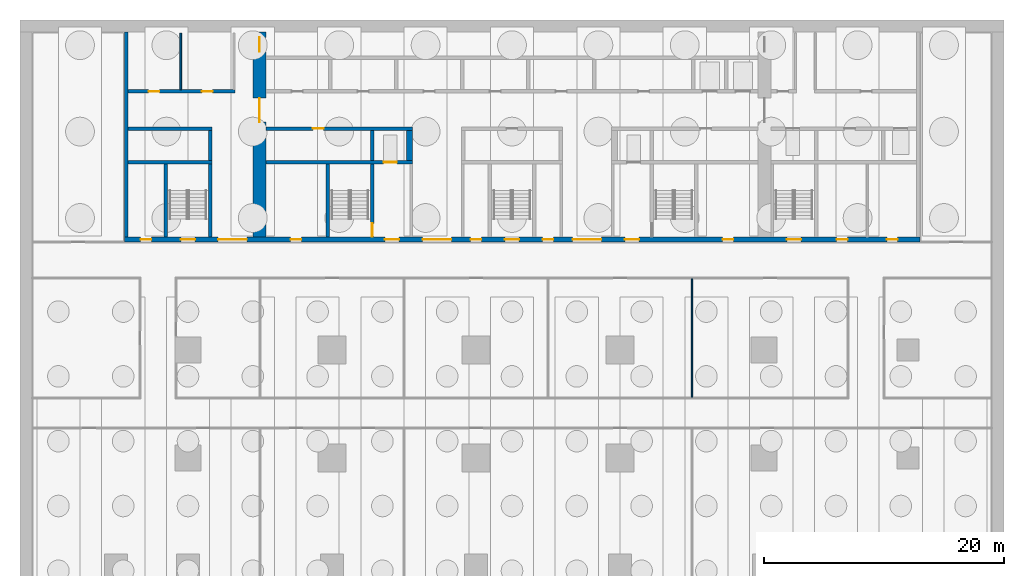
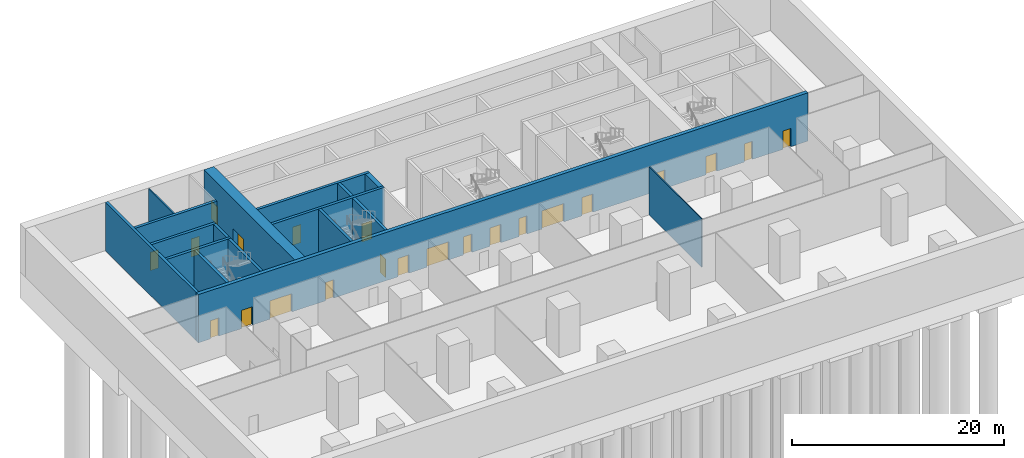
# One storey, part 4 of 11: 22 doors, 17 walls, 22 openings.
"""IFC4 building model written with IfcOpenShell, lengths in metres."""

import ifcopenshell
import ifcopenshell.guid

model = None  # the IFC model being written
_history = None  # IfcOwnerHistory: only IFC2X3 demands one
_inside = {}  # id of a spatial element -> (the spatial element, [elements in it])
_under = {}  # id of a project, library or spatial element -> (it, [spatial elements below it])
_declared = {}  # id of a project -> (the project, [libraries it declares])
_typed = {}  # id of a type object -> (the type object, [elements of that type])
_made_of = {}  # id of a material, layer set ... -> (it, [elements and type objects made of it])


def new_model(schema):
    """Start an empty IFC model of exactly this schema.

    Asked for "IFC4X3", IfcOpenShell would pick the latest addendum, in which some entities
    have other attributes; the version numbers below select the first issue.
    IFC2X3 requires an IfcOwnerHistory on every rooted entity: one is made here for all.
    """
    global model, _history
    if schema == "IFC4X3":
        model = ifcopenshell.file(schema_version=(4, 3, 0, 0))
    else:
        model = ifcopenshell.file(schema=schema)
    _inside.clear()
    _under.clear()
    _declared.clear()
    _typed.clear()
    _made_of.clear()
    _history = None
    if model.schema == "IFC2X3":
        org = make("IfcOrganization", Name="unknown")
        user = make(
            "IfcPersonAndOrganization",
            ThePerson=make("IfcPerson", FamilyName="unknown"),
            TheOrganization=org,
        )
        app = make(
            "IfcApplication",
            ApplicationDeveloper=org,
            Version="unknown",
            ApplicationFullName="unknown",
            ApplicationIdentifier="unknown",
        )
        _history = make(
            "IfcOwnerHistory",
            OwningUser=user,
            OwningApplication=app,
            ChangeAction="ADDED",
            CreationDate=0,
        )
    return model


def make(cls, **values):
    """One entity of the class cls with the attributes given. An attribute that is None is left unset."""
    return model.create_entity(
        cls, **{name: value for name, value in values.items() if value is not None}
    )


def rooted(cls, **values):
    """An entity with a GlobalId (a new one), such as an element, a storey or a relation."""
    return make(cls, GlobalId=ifcopenshell.guid.new(), OwnerHistory=_history, **values)


def si_unit(unit_type, name, prefix=None):
    """IfcSIUnit, for example si_unit("LENGTHUNIT", "METRE", prefix="MILLI")."""
    return make("IfcSIUnit", UnitType=unit_type, Prefix=prefix, Name=name)


def assignment(units):
    """IfcUnitAssignment: the units of a project."""
    return None if units is None else make("IfcUnitAssignment", Units=units)


def point(xyz):
    """IfcCartesianPoint."""
    return None if xyz is None else make("IfcCartesianPoint", Coordinates=xyz)


def direction(xyz):
    """IfcDirection."""
    return None if xyz is None else make("IfcDirection", DirectionRatios=xyz)


def frame(location, z_axis=None, x_axis=None):
    """IfcAxis2Placement3D, a coordinate frame: its origin and axes. An axis left out is left unset."""
    return make(
        "IfcAxis2Placement3D",
        Location=point(location),
        Axis=direction(z_axis),
        RefDirection=direction(x_axis),
    )


def frame_2d(location, x_axis=None):
    """IfcAxis2Placement2D, a coordinate frame in the plane: its origin and x axis."""
    return make(
        "IfcAxis2Placement2D", Location=point(location), RefDirection=direction(x_axis)
    )


def origin():
    """The frame at (0, 0, 0) with its axes left unset."""
    return frame((0.0, 0.0, 0.0))


def place(relative_to, where):
    """IfcLocalPlacement: puts the frame where relative to a parent placement (None: the world)."""
    return make(
        "IfcLocalPlacement", PlacementRelTo=relative_to, RelativePlacement=where
    )


def context(
    kind, dimensions, precision=None, world=None, true_north=None, identifier=None
):
    """IfcGeometricRepresentationContext, for example the 3D "Model" context."""
    return make(
        "IfcGeometricRepresentationContext",
        ContextIdentifier=identifier,
        ContextType=kind,
        CoordinateSpaceDimension=dimensions,
        Precision=precision,
        WorldCoordinateSystem=world,
        TrueNorth=true_north,
    )


def subcontext(parent, identifier, kind, view, scale=None):
    """IfcGeometricRepresentationSubContext, for example "Body" below "Model"."""
    return make(
        "IfcGeometricRepresentationSubContext",
        ContextIdentifier=identifier,
        ContextType=kind,
        ParentContext=parent,
        TargetScale=scale,
        TargetView=view,
    )


def project(units=None, contexts=None):
    """IfcProject with its units and contexts."""
    return rooted(
        "IfcProject",
        Name="project",
        RepresentationContexts=contexts,
        UnitsInContext=assignment(units),
    )


def spatial(cls, under=None, at=None, **own):
    """A site, building, storey or space (cls), placed at a placement, below another one or the project."""
    s = rooted(cls, ObjectPlacement=at, **own)
    if under is not None:
        _under.setdefault(under.id(), (under, []))[1].append(s)
    return s


def profile(cls, at=None, kind="AREA", **sizes):
    """A parametric profile (cls). Its sizes go by their IFC names, for example OverallWidth=200.0."""
    return make(cls, ProfileType=kind, Position=at, **sizes)


def rectangle(**sizes):
    """IfcRectangleProfileDef."""
    return profile("IfcRectangleProfileDef", **sizes)


def extrude(swept, where, along, depth):
    """IfcExtrudedAreaSolid: the profile swept, set in the frame where, extruded along a direction by depth."""
    return make(
        "IfcExtrudedAreaSolid",
        SweptArea=swept,
        Position=where,
        ExtrudedDirection=direction(along),
        Depth=depth,
    )


def shape(context_of_items, identifier, shape_type, items):
    """IfcShapeRepresentation: the items that make up one representation, for example the "Body"."""
    return make(
        "IfcShapeRepresentation",
        ContextOfItems=context_of_items,
        RepresentationIdentifier=identifier,
        RepresentationType=shape_type,
        Items=items,
    )


def material(Name=None, Category=None):
    """IfcMaterial."""
    return make("IfcMaterial", Name=Name, Category=Category)


def layer(
    of_material, thickness, ventilated=None, Name=None, Category=None, Priority=None
):
    """IfcMaterialLayer: one layer of a wall or slab, of a material (None: an air gap)."""
    return make(
        "IfcMaterialLayer",
        Material=of_material,
        LayerThickness=thickness,
        IsVentilated=ventilated,
        Name=Name,
        Category=Category,
        Priority=Priority,
    )


def layer_set(layers, Name=None):
    """IfcMaterialLayerSet."""
    return make("IfcMaterialLayerSet", MaterialLayers=layers, LayerSetName=Name)


def made_of(thing, what):
    """Note that an element or type object is made of a material, layer set ...; save() writes the relation."""
    if what is not None:
        _made_of.setdefault(what.id(), (what, []))[1].append(thing)
    return thing


def type_object(cls, material=None, **own):
    """A type object (cls), such as IfcWallType, which elements share."""
    return made_of(rooted(cls, **own), material)


def element(
    cls,
    number,
    at=None,
    inside=None,
    cuts=None,
    type_object=None,
    material=None,
    context=None,
    identifier="Body",
    shape_type=None,
    held_by="IfcProductDefinitionShape",
    body=None,
    shapes=None,
    **own,
):
    """One element of the class cls, such as IfcWall. Its Tag is "e" and its number.

    at: its placement. inside: the storey or other place that contains it. cuts: it is an
    opening in that element (IfcRelVoidsElement). A single representation is given by context,
    identifier, shape_type and body (its items); several are given by shapes. held_by: the class
    of the entity that holds the representations. save() writes the other relations.
    """
    e = rooted(cls, Tag="e%d" % number, ObjectPlacement=at, **own)
    if body is not None:
        shapes = [shape(context, identifier, shape_type, body)]
    if shapes is not None:
        e.Representation = make(held_by, Representations=shapes)
    if inside is not None:
        _inside.setdefault(inside.id(), (inside, []))[1].append(e)
    if cuts is not None:
        rooted(
            "IfcRelVoidsElement", RelatingBuildingElement=cuts, RelatedOpeningElement=e
        )
    if type_object is not None:
        _typed.setdefault(type_object.id(), (type_object, []))[1].append(e)
    return made_of(e, material)


def fill(opening, filler):
    """IfcRelFillsElement: the door or window that sits in an opening."""
    return rooted(
        "IfcRelFillsElement",
        RelatingOpeningElement=opening,
        RelatedBuildingElement=filler,
    )


def aggregate(whole, parts):
    """IfcRelAggregates: a whole, such as a stair, and the parts it consists of."""
    return rooted("IfcRelAggregates", RelatingObject=whole, RelatedObjects=parts)


def save(model, path):
    """Write the relations noted so far, then the file.

    IfcRelAggregates (storeys below a building ...), IfcRelContainedInSpatialStructure (elements
    in a storey), IfcRelDefinesByType, IfcRelAssociatesMaterial and IfcRelDeclares: one each for
    every whole, place, type object, material and project.
    """
    for whole, parts in _under.values():
        aggregate(whole, parts)
    for where, things in _inside.values():
        rooted(
            "IfcRelContainedInSpatialStructure",
            RelatedElements=things,
            RelatingStructure=where,
        )
    for kind, things in _typed.values():
        rooted("IfcRelDefinesByType", RelatedObjects=things, RelatingType=kind)
    for what, things in _made_of.values():
        rooted("IfcRelAssociatesMaterial", RelatedObjects=things, RelatingMaterial=what)
    for by, libraries in _declared.values():
        rooted("IfcRelDeclares", RelatingContext=by, RelatedDefinitions=libraries)
    model.write(path)


model = new_model("IFC4")

# Units and contexts
model_context = context("Model", 3, precision=1e-05, world=origin(), true_north=direction((0.0, 1.0)))
body_context = subcontext(model_context, "Body", "Model", "MODEL_VIEW")
ifc_project = project(units=[si_unit("LENGTHUNIT", "METRE"), si_unit("AREAUNIT", "SQUARE_METRE"), si_unit("VOLUMEUNIT", "CUBIC_METRE"), si_unit("PLANEANGLEUNIT", "RADIAN"), si_unit("MASSUNIT", "GRAM", prefix="KILO")], contexts=[model_context])

# Site, building, storey
site_placement = place(None, origin())
site = spatial("IfcSite", under=ifc_project, at=site_placement, CompositionType="ELEMENT")
building_placement = place(site_placement, origin())
building = spatial("IfcBuilding", under=site, at=building_placement, Name="Calvaro Tower", CompositionType="ELEMENT")
storey_placement = place(building_placement, frame((0.0, 0.0, -12.0)))
storey = spatial("IfcBuildingStorey", under=building, at=storey_placement, Name="B2", CompositionType="ELEMENT", Elevation=-12.0)

# Wall
ifc_material_1 = material(Name="Blockwork partition", Category="masonry")
ifc_layer_1 = layer(ifc_material_1, 0.14990234375)
ifc_layer_set_1 = layer_set([ifc_layer_1], Name="Blockwork partition")
wall_type_1 = type_object("IfcWallType", Name="Core partition 150 REI 120", PredefinedType="PARTITIONING", material=ifc_layer_set_1)
wall_1_placement = place(storey_placement, frame((11.39990234375, 40.699951171875, 0.0), z_axis=(0.0, 0.0, 1.0), x_axis=(0.0, 1.0, 0.0)))
element("IfcWall", 1, at=wall_1_placement, inside=storey, type_object=wall_type_1, Name="Core partition", PredefinedType="PARTITIONING", context=body_context, shape_type="SweptSolid", body=[
    extrude(rectangle(XDim=4.699951171875, YDim=0.14990234375, at=frame_2d((2.35009765625, 0.0))), origin(), (0.0, 0.0, 1.0), 5.550048828125),
])

# Wall, openings, doors
ifc_material_2 = material(Name="Blockwork partition", Category="masonry")
ifc_layer_2 = layer(ifc_material_2, 0.300048828125)
ifc_layer_set_2 = layer_set([ifc_layer_2], Name="Blockwork partition")
wall_type_2 = type_object("IfcWallType", Name="Core partition 300 REI 120", PredefinedType="PARTITIONING", material=ifc_layer_set_2)
wall_2_placement = place(storey_placement, frame((7.0, 40.550048828125, 0.0), z_axis=(0.0, 0.0, 1.0), x_axis=(1.0, 0.0, 0.0)))
wall_2 = element("IfcWall", 2, at=wall_2_placement, inside=storey, type_object=wall_type_2, Name="Core partition", PredefinedType="PARTITIONING", context=body_context, shape_type="SweptSolid", body=[
    extrude(rectangle(XDim=8.89990234375, YDim=0.300048828125, at=frame_2d((4.449951171875, 0.0))), origin(), (0.0, 0.0, 1.0), 5.550048828125),
])
opening_1_placement = place(wall_2_placement, frame((1.71240234375, 0.0, 0.0)))
opening_1 = element("IfcOpeningElement", 3, at=opening_1_placement, cuts=wall_2, Name="Opening RD9E", PredefinedType="OPENING", context=body_context, shape_type="SweptSolid", body=[
    extrude(rectangle(XDim=0.89990234375, YDim=2.10009765625, at=frame_2d((0.449951171875, 1.050048828125))), frame((0.0, 0.159912109375, 0.0), z_axis=(0.0, -1.0, 0.0), x_axis=(1.0, 0.0, 0.0)), (0.0, 0.0, 1.0), 0.320068359375),
])
opening_2_placement = place(wall_2_placement, frame((6.16259765625, 0.0, 0.0)))
opening_2 = element("IfcOpeningElement", 4, at=opening_2_placement, cuts=wall_2, Name="Opening RD9E", PredefinedType="OPENING", context=body_context, shape_type="SweptSolid", body=[
    extrude(rectangle(XDim=0.89990234375, YDim=2.10009765625, at=frame_2d((0.449951171875, 1.050048828125))), frame((0.0, 0.159912109375, 0.0), z_axis=(0.0, -1.0, 0.0), x_axis=(1.0, 0.0, 0.0)), (0.0, 0.0, 1.0), 0.320068359375),
])
ifc_material_3 = material(Name="Steel door set", Category="steel")
door_type_1 = type_object("IfcDoorType", Name="Room door 900 FD60", OperationType="SINGLE_SWING_LEFT", PredefinedType="DOOR", material=ifc_material_3)
door_1_placement = place(opening_1_placement, origin())
door_1 = element("IfcDoor", 5, at=door_1_placement, inside=storey, type_object=door_type_1, Name="Room door", OperationType="SINGLE_SWING_LEFT", OverallHeight=2.10009765625, OverallWidth=0.89990234375, PredefinedType="DOOR", context=body_context, shape_type="SweptSolid", body=[
    extrude(rectangle(XDim=0.89990234375, YDim=2.10009765625, at=frame_2d((0.449951171875, 1.050048828125))), frame((0.0, 0.02490234375, 0.0), z_axis=(0.0, -1.0, 0.0), x_axis=(1.0, 0.0, 0.0)), (0.0, 0.0, 1.0), 0.050048828125),
])
fill(opening_1, door_1)
door_2_placement = place(opening_2_placement, origin())
door_2 = element("IfcDoor", 6, at=door_2_placement, inside=storey, type_object=door_type_1, Name="Room door", OperationType="SINGLE_SWING_RIGHT", OverallHeight=2.10009765625, OverallWidth=0.89990234375, PredefinedType="DOOR", context=body_context, shape_type="SweptSolid", body=[
    extrude(rectangle(XDim=0.89990234375, YDim=2.10009765625, at=frame_2d((0.449951171875, 1.050048828125))), frame((0.0, 0.02490234375, 0.0), z_axis=(0.0, -1.0, 0.0), x_axis=(1.0, 0.0, 0.0)), (0.0, 0.0, 1.0), 0.050048828125),
])
fill(opening_2, door_2)

ifc_material_4 = material(Name="Concrete C80/95", Category="concrete")
ifc_layer_3 = layer(ifc_material_4, 1.10009765625)
ifc_layer_set_3 = layer_set([ifc_layer_3], Name="Concrete C80/95")
wall_type_3 = type_object("IfcWallType", Name="Core wall C80/95 1100", PredefinedType="SHEAR", material=ifc_layer_set_3)
wall_3_placement = place(storey_placement, frame((17.949951171875, 28.39990234375, 0.0), z_axis=(0.0, 0.0, 1.0), x_axis=(0.0, 1.0, 0.0)))
wall_3 = element("IfcWall", 7, at=wall_3_placement, inside=storey, type_object=wall_type_3, Name="Core wall, cross shear wall", PredefinedType="SHEAR", context=body_context, shape_type="SweptSolid", body=[
    extrude(rectangle(XDim=17.10009765625, YDim=1.10009765625, at=frame_2d((8.550048828125, 0.0))), origin(), (0.0, 0.0, 1.0), 5.550048828125),
])
opening_3_placement = place(wall_3_placement, frame((9.60009765625, 0.0, 0.0)))
opening_3 = element("IfcOpeningElement", 8, at=opening_3_placement, cuts=wall_3, Name="Opening DD20D", PredefinedType="OPENING", context=body_context, shape_type="SweptSolid", body=[
    extrude(rectangle(XDim=2.0, YDim=2.10009765625, at=frame_2d((1.0, 1.050048828125))), frame((0.0, 0.56005859375, 0.0), z_axis=(0.0, -1.0, 0.0), x_axis=(1.0, 0.0, 0.0)), (0.0, 0.0, 1.0), 1.1201171875),
])
opening_4_placement = place(wall_3_placement, frame((15.449951171875, 0.0, 0.0)))
opening_4 = element("IfcOpeningElement", 9, at=opening_4_placement, cuts=wall_3, Name="Opening FD12C", PredefinedType="OPENING", context=body_context, shape_type="SweptSolid", body=[
    extrude(rectangle(XDim=1.199951171875, YDim=2.10009765625, at=frame_2d((0.60009765625, 1.050048828125))), frame((0.0, 0.56005859375, 0.0), z_axis=(0.0, -1.0, 0.0), x_axis=(1.0, 0.0, 0.0)), (0.0, 0.0, 1.0), 1.1201171875),
])
ifc_material_5 = material(Name="Steel door set", Category="steel")
door_type_2 = type_object("IfcDoorType", Name="Fire door 1200 FD30", OperationType="SINGLE_SWING_LEFT", PredefinedType="DOOR", material=ifc_material_5)
door_3_placement = place(opening_4_placement, origin())
door_3 = element("IfcDoor", 10, at=door_3_placement, inside=storey, type_object=door_type_2, Name="Fire door", OperationType="SINGLE_SWING_RIGHT", OverallHeight=2.10009765625, OverallWidth=1.199951171875, PredefinedType="DOOR", context=body_context, shape_type="SweptSolid", body=[
    extrude(rectangle(XDim=1.199951171875, YDim=2.10009765625, at=frame_2d((0.60009765625, 1.050048828125))), frame((0.0, 0.02490234375, 0.0), z_axis=(0.0, -1.0, 0.0), x_axis=(1.0, 0.0, 0.0)), (0.0, 0.0, 1.0), 0.050048828125),
])
fill(opening_4, door_3)
ifc_material_6 = material(Name="Steel door set", Category="steel")
door_type_3 = type_object("IfcDoorType", Name="Lobby double door 2000 FD30S", OperationType="DOUBLE_DOOR_SINGLE_SWING", PredefinedType="DOOR", material=ifc_material_6)
door_4_placement = place(opening_3_placement, origin())
door_4 = element("IfcDoor", 11, at=door_4_placement, inside=storey, type_object=door_type_3, Name="Lobby double door", OperationType="DOUBLE_DOOR_SINGLE_SWING", OverallHeight=2.10009765625, OverallWidth=2.0, PredefinedType="DOOR", context=body_context, shape_type="SweptSolid", body=[
    extrude(rectangle(XDim=2.0, YDim=2.10009765625, at=frame_2d((1.0, 1.050048828125))), frame((0.0, 0.02490234375, 0.0), z_axis=(0.0, -1.0, 0.0), x_axis=(1.0, 0.0, 0.0)), (0.0, 0.0, 1.0), 0.050048828125),
])
fill(opening_3, door_4)

# Walls
ifc_material_7 = material(Name="Concrete C80/95", Category="concrete")
ifc_layer_4 = layer(ifc_material_7, 0.300048828125)
ifc_layer_set_4 = layer_set([ifc_layer_4], Name="Concrete C80/95")
wall_type_4 = type_object("IfcWallType", Name="Core wall C80/95 300", PredefinedType="SHEAR", material=ifc_layer_set_4)
wall_4_placement = place(storey_placement, frame((6.85009765625, 28.39990234375, 0.0), z_axis=(0.0, 0.0, 1.0), x_axis=(0.0, 1.0, 0.0)))
element("IfcWall", 12, at=wall_4_placement, inside=storey, type_object=wall_type_4, Name="Core wall, boundary", PredefinedType="SHEAR", context=body_context, shape_type="SweptSolid", body=[
    extrude(rectangle(XDim=17.10009765625, YDim=0.300048828125, at=frame_2d((8.550048828125, 0.0))), origin(), (0.0, 0.0, 1.0), 5.550048828125),
])
for number, where, z_axis, x_axis, name in (
    (13, (10.14990234375, 28.39990234375, 0.0), (0.0, 0.0, 1.0), (0.0, 1.0, 0.0), "Core wall, stair enclosure"),
    (14, (13.85009765625, 28.39990234375, 0.0), (0.0, 0.0, 1.0), (0.0, 1.0, 0.0), "Core wall, stair enclosure"),
    (15, (23.64990234375, 28.39990234375, 0.0), (0.0, 0.0, 1.0), (0.0, 1.0, 0.0), "Core wall, stair enclosure"),
):
    element("IfcWall", number, at=place(storey_placement, frame(where, z_axis=z_axis, x_axis=x_axis)), inside=storey, type_object=wall_type_4, Name=name, PredefinedType="SHEAR", context=body_context, shape_type="SweptSolid", body=[
        extrude(rectangle(XDim=6.10009765625, YDim=0.300048828125, at=frame_2d((3.050048828125, 0.0))), origin(), (0.0, 0.0, 1.0), 5.550048828125),
    ])

# Wall, opening, door
wall_5_placement = place(storey_placement, frame((27.35009765625, 28.39990234375, 0.0), z_axis=(0.0, 0.0, 1.0), x_axis=(0.0, 1.0, 0.0)))
wall_5 = element("IfcWall", 16, at=wall_5_placement, inside=storey, type_object=wall_type_4, Name="Core wall, stair enclosure", PredefinedType="SHEAR", context=body_context, shape_type="SweptSolid", body=[
    extrude(rectangle(XDim=6.10009765625, YDim=0.300048828125, at=frame_2d((3.050048828125, 0.0))), origin(), (0.0, 0.0, 1.0), 5.550048828125),
])
opening_5_placement = place(wall_5_placement, frame((0.050048828125, 0.0, 0.0)))
opening_5 = element("IfcOpeningElement", 17, at=opening_5_placement, cuts=wall_5, Name="Opening FD11D", PredefinedType="OPENING", context=body_context, shape_type="SweptSolid", body=[
    extrude(rectangle(XDim=1.10009765625, YDim=2.10009765625, at=frame_2d((0.550048828125, 1.050048828125))), frame((0.0, 0.159912109375, 0.0), z_axis=(0.0, -1.0, 0.0), x_axis=(1.0, 0.0, 0.0)), (0.0, 0.0, 1.0), 0.320068359375),
])
ifc_material_8 = material(Name="Steel door set", Category="steel")
door_type_4 = type_object("IfcDoorType", Name="Fire door 1100 FD30S", OperationType="SINGLE_SWING_LEFT", PredefinedType="DOOR", material=ifc_material_8)
door_5_placement = place(opening_5_placement, origin())
door_5 = element("IfcDoor", 18, at=door_5_placement, inside=storey, type_object=door_type_4, Name="Fire door", OperationType="SINGLE_SWING_LEFT", OverallHeight=2.10009765625, OverallWidth=1.10009765625, PredefinedType="DOOR", context=body_context, shape_type="SweptSolid", body=[
    extrude(rectangle(XDim=1.10009765625, YDim=2.10009765625, at=frame_2d((0.550048828125, 1.050048828125))), frame((0.0, 0.02490234375, 0.0), z_axis=(0.0, -1.0, 0.0), x_axis=(1.0, 0.0, 0.0)), (0.0, 0.0, 1.0), 0.050048828125),
])
fill(opening_5, door_5)

# Wall
wall_6_placement = place(storey_placement, frame((7.0, 34.64990234375, 0.0), z_axis=(0.0, 0.0, 1.0), x_axis=(1.0, 0.0, 0.0)))
element("IfcWall", 19, at=wall_6_placement, inside=storey, type_object=wall_type_4, Name="Core wall, lift shaft", PredefinedType="SHEAR", context=body_context, shape_type="SweptSolid", body=[
    extrude(rectangle(XDim=7.0, YDim=0.300048828125, at=frame_2d((3.5, 0.0))), origin(), (0.0, 0.0, 1.0), 5.550048828125),
])

# Wall, opening, door
wall_7_placement = place(storey_placement, frame((18.5, 34.64990234375, 0.0), z_axis=(0.0, 0.0, 1.0), x_axis=(1.0, 0.0, 0.0)))
wall_7 = element("IfcWall", 20, at=wall_7_placement, inside=storey, type_object=wall_type_4, Name="Core wall, lift shaft", PredefinedType="SHEAR", context=body_context, shape_type="SweptSolid", body=[
    extrude(rectangle(XDim=12.199951171875, YDim=0.300048828125, at=frame_2d((6.10009765625, 0.0))), origin(), (0.0, 0.0, 1.0), 5.550048828125),
])
opening_6_placement = place(wall_7_placement, frame((9.800048828125, 0.0, 0.0)))
opening_6 = element("IfcOpeningElement", 21, at=opening_6_placement, cuts=wall_7, Name="Opening FF1", PredefinedType="OPENING", context=body_context, shape_type="SweptSolid", body=[
    extrude(rectangle(XDim=1.10009765625, YDim=2.10009765625, at=frame_2d((0.550048828125, 1.050048828125))), frame((0.0, 0.159912109375, 0.0), z_axis=(0.0, -1.0, 0.0), x_axis=(1.0, 0.0, 0.0)), (0.0, 0.0, 1.0), 0.320068359375),
])
ifc_material_9 = material(Name="Stainless steel", Category="steel")
door_type_5 = type_object("IfcDoorType", Name="Landing door 1100 E 60", OperationType="SLIDING_TO_LEFT", PredefinedType="DOOR", material=ifc_material_9)
door_6_placement = place(opening_6_placement, origin())
door_6 = element("IfcDoor", 22, at=door_6_placement, inside=storey, type_object=door_type_5, Name="Landing door FF1", OperationType="SLIDING_TO_LEFT", OverallHeight=2.10009765625, OverallWidth=1.10009765625, PredefinedType="DOOR", context=body_context, shape_type="SweptSolid", body=[
    extrude(rectangle(XDim=1.10009765625, YDim=2.10009765625, at=frame_2d((0.550048828125, 1.050048828125))), frame((0.0, 0.02490234375, 0.0), z_axis=(0.0, -1.0, 0.0), x_axis=(1.0, 0.0, 0.0)), (0.0, 0.0, 1.0), 0.050048828125),
])
fill(opening_6, door_6)

# Wall
wall_8_placement = place(storey_placement, frame((7.0, 37.449951171875, 0.0), z_axis=(0.0, 0.0, 1.0), x_axis=(1.0, 0.0, 0.0)))
element("IfcWall", 23, at=wall_8_placement, inside=storey, type_object=wall_type_4, Name="Core wall, lift shaft", PredefinedType="SHEAR", context=body_context, shape_type="SweptSolid", body=[
    extrude(rectangle(XDim=7.0, YDim=0.300048828125, at=frame_2d((3.5, 0.0))), origin(), (0.0, 0.0, 1.0), 5.550048828125),
])

# Wall, opening, door
wall_9_placement = place(storey_placement, frame((30.699951171875, 37.449951171875, 0.0), z_axis=(0.0, 0.0, 1.0), x_axis=(-1.0, 0.0, 0.0)))
wall_9 = element("IfcWall", 24, at=wall_9_placement, inside=storey, type_object=wall_type_4, Name="Core wall, bay", PredefinedType="SHEAR", context=body_context, shape_type="SweptSolid", body=[
    extrude(rectangle(XDim=12.199951171875, YDim=0.300048828125, at=frame_2d((6.10009765625, 0.0))), origin(), (0.0, 0.0, 1.0), 5.550048828125),
])
opening_7_placement = place(wall_9_placement, frame((7.39990234375, 0.0, 0.0)))
opening_7 = element("IfcOpeningElement", 25, at=opening_7_placement, cuts=wall_9, Name="Opening RD9E", PredefinedType="OPENING", context=body_context, shape_type="SweptSolid", body=[
    extrude(rectangle(XDim=0.89990234375, YDim=2.10009765625, at=frame_2d((0.449951171875, 1.050048828125))), frame((0.0, 0.159912109375, 0.0), z_axis=(0.0, -1.0, 0.0), x_axis=(1.0, 0.0, 0.0)), (0.0, 0.0, 1.0), 0.320068359375),
])
door_7_placement = place(opening_7_placement, origin())
door_7 = element("IfcDoor", 26, at=door_7_placement, inside=storey, type_object=door_type_1, Name="Room door", OperationType="SINGLE_SWING_LEFT", OverallHeight=2.10009765625, OverallWidth=0.89990234375, PredefinedType="DOOR", context=body_context, shape_type="SweptSolid", body=[
    extrude(rectangle(XDim=0.89990234375, YDim=2.10009765625, at=frame_2d((0.449951171875, 1.050048828125))), frame((0.0, 0.02490234375, 0.0), z_axis=(0.0, -1.0, 0.0), x_axis=(1.0, 0.0, 0.0)), (0.0, 0.0, 1.0), 0.050048828125),
])
fill(opening_7, door_7)

# Walls
for number, where, z_axis, x_axis, name in (
    (27, (27.35009765625, 34.800048828125, 0.0), (0.0, 0.0, 1.0), (0.0, 1.0, 0.0), "Core wall, lift shaft"),
    (28, (13.85009765625, 34.800048828125, 0.0), (0.0, 0.0, 1.0), (0.0, 1.0, 0.0), "Core wall, lift shaft"),
):
    element("IfcWall", number, at=place(storey_placement, frame(where, z_axis=z_axis, x_axis=x_axis)), inside=storey, type_object=wall_type_4, Name=name, PredefinedType="SHEAR", context=body_context, shape_type="SweptSolid", body=[
        extrude(rectangle(XDim=2.5, YDim=0.300048828125, at=frame_2d((1.25, 0.0))), origin(), (0.0, 0.0, 1.0), 5.550048828125),
    ])

# Wall, openings, doors
ifc_material_10 = material(Name="Concrete C80/95", Category="concrete")
ifc_layer_5 = layer(ifc_material_10, 0.39990234375)
ifc_layer_set_5 = layer_set([ifc_layer_5], Name="Concrete C80/95")
wall_type_5 = type_object("IfcWallType", Name="Core wall C80/95 400", PredefinedType="SHEAR", material=ifc_layer_set_5)
wall_10_placement = place(storey_placement, frame((6.699951171875, 28.199951171875, 0.0), z_axis=(0.0, 0.0, 1.0), x_axis=(1.0, 0.0, 0.0)))
wall_10 = element("IfcWall", 29, at=wall_10_placement, inside=storey, type_object=wall_type_5, Name="Core wall, front", PredefinedType="SHEAR", context=body_context, shape_type="SweptSolid", body=[
    extrude(rectangle(XDim=66.300048828125, YDim=0.39990234375, at=frame_2d((33.14990234375, 0.0))), origin(), (0.0, 0.0, 1.0), 5.550048828125),
])
opening_8_placement = place(wall_10_placement, frame((13.85009765625, 0.0, 0.0)))
opening_8 = element("IfcOpeningElement", 30, at=opening_8_placement, cuts=wall_10, Name="Opening RD9E", PredefinedType="OPENING", context=body_context, shape_type="SweptSolid", body=[
    extrude(rectangle(XDim=0.89990234375, YDim=2.10009765625, at=frame_2d((0.449951171875, 1.050048828125))), frame((0.0, 0.2099609375, 0.0), z_axis=(0.0, -1.0, 0.0), x_axis=(1.0, 0.0, 0.0)), (0.0, 0.0, 1.0), 0.419921875),
])
opening_9_placement = place(wall_10_placement, frame((49.85009765625, 0.0, 0.0)))
opening_9 = element("IfcOpeningElement", 31, at=opening_9_placement, cuts=wall_10, Name="Opening RD9E", PredefinedType="OPENING", context=body_context, shape_type="SweptSolid", body=[
    extrude(rectangle(XDim=0.89990234375, YDim=2.10009765625, at=frame_2d((0.449951171875, 1.050048828125))), frame((0.0, 0.2099609375, 0.0), z_axis=(0.0, -1.0, 0.0), x_axis=(1.0, 0.0, 0.0)), (0.0, 0.0, 1.0), 0.419921875),
])
opening_10_placement = place(wall_10_placement, frame((1.35009765625, 0.0, 0.0)))
opening_10 = element("IfcOpeningElement", 32, at=opening_10_placement, cuts=wall_10, Name="Opening RD9C", PredefinedType="OPENING", context=body_context, shape_type="SweptSolid", body=[
    extrude(rectangle(XDim=0.89990234375, YDim=2.10009765625, at=frame_2d((0.449951171875, 1.050048828125))), frame((0.0, 0.2099609375, 0.0), z_axis=(0.0, -1.0, 0.0), x_axis=(1.0, 0.0, 0.0)), (0.0, 0.0, 1.0), 0.419921875),
])
opening_11_placement = place(wall_10_placement, frame((59.362548828125, 0.0, 0.0)))
opening_11 = element("IfcOpeningElement", 33, at=opening_11_placement, cuts=wall_10, Name="Opening RD9E", PredefinedType="OPENING", context=body_context, shape_type="SweptSolid", body=[
    extrude(rectangle(XDim=0.89990234375, YDim=2.10009765625, at=frame_2d((0.449951171875, 1.050048828125))), frame((0.0, 0.2099609375, 0.0), z_axis=(0.0, -1.0, 0.0), x_axis=(1.0, 0.0, 0.0)), (0.0, 0.0, 1.0), 0.419921875),
])
opening_12_placement = place(wall_10_placement, frame((63.53759765625, 0.0, 0.0)))
opening_12 = element("IfcOpeningElement", 34, at=opening_12_placement, cuts=wall_10, Name="Opening RD9C", PredefinedType="OPENING", context=body_context, shape_type="SweptSolid", body=[
    extrude(rectangle(XDim=0.89990234375, YDim=2.10009765625, at=frame_2d((0.449951171875, 1.050048828125))), frame((0.0, 0.2099609375, 0.0), z_axis=(0.0, -1.0, 0.0), x_axis=(1.0, 0.0, 0.0)), (0.0, 0.0, 1.0), 0.419921875),
])
opening_13_placement = place(wall_10_placement, frame((4.699951171875, 0.0, 0.0)))
opening_13 = element("IfcOpeningElement", 35, at=opening_13_placement, cuts=wall_10, Name="Opening SD12D", PredefinedType="OPENING", context=body_context, shape_type="SweptSolid", body=[
    extrude(rectangle(XDim=1.199951171875, YDim=2.10009765625, at=frame_2d((0.60009765625, 1.050048828125))), frame((0.0, 0.2099609375, 0.0), z_axis=(0.0, -1.0, 0.0), x_axis=(1.0, 0.0, 0.0)), (0.0, 0.0, 1.0), 0.419921875),
])
opening_14_placement = place(wall_10_placement, frame((31.699951171875, 0.0, 0.0)))
opening_14 = element("IfcOpeningElement", 36, at=opening_14_placement, cuts=wall_10, Name="Opening SD12D", PredefinedType="OPENING", context=body_context, shape_type="SweptSolid", body=[
    extrude(rectangle(XDim=1.199951171875, YDim=2.10009765625, at=frame_2d((0.60009765625, 1.050048828125))), frame((0.0, 0.2099609375, 0.0), z_axis=(0.0, -1.0, 0.0), x_axis=(1.0, 0.0, 0.0)), (0.0, 0.0, 1.0), 0.419921875),
])
opening_15_placement = place(wall_10_placement, frame((55.199951171875, 0.0, 0.0)))
opening_15 = element("IfcOpeningElement", 37, at=opening_15_placement, cuts=wall_10, Name="Opening SD12D", PredefinedType="OPENING", context=body_context, shape_type="SweptSolid", body=[
    extrude(rectangle(XDim=1.199951171875, YDim=2.10009765625, at=frame_2d((0.60009765625, 1.050048828125))), frame((0.0, 0.2099609375, 0.0), z_axis=(0.0, -1.0, 0.0), x_axis=(1.0, 0.0, 0.0)), (0.0, 0.0, 1.0), 0.419921875),
])
opening_16_placement = place(wall_10_placement, frame((21.699951171875, 0.0, 0.0)))
opening_16 = element("IfcOpeningElement", 38, at=opening_16_placement, cuts=wall_10, Name="Opening FD12F", PredefinedType="OPENING", context=body_context, shape_type="SweptSolid", body=[
    extrude(rectangle(XDim=1.199951171875, YDim=2.10009765625, at=frame_2d((0.60009765625, 1.050048828125))), frame((0.0, 0.2099609375, 0.0), z_axis=(0.0, -1.0, 0.0), x_axis=(1.0, 0.0, 0.0)), (0.0, 0.0, 1.0), 0.419921875),
])
opening_17_placement = place(wall_10_placement, frame((41.699951171875, 0.0, 0.0)))
opening_17 = element("IfcOpeningElement", 39, at=opening_17_placement, cuts=wall_10, Name="Opening FD12F", PredefinedType="OPENING", context=body_context, shape_type="SweptSolid", body=[
    extrude(rectangle(XDim=1.199951171875, YDim=2.10009765625, at=frame_2d((0.60009765625, 1.050048828125))), frame((0.0, 0.2099609375, 0.0), z_axis=(0.0, -1.0, 0.0), x_axis=(1.0, 0.0, 0.0)), (0.0, 0.0, 1.0), 0.419921875),
])
opening_18_placement = place(wall_10_placement, frame((24.85009765625, 0.0, 0.0)))
opening_18 = element("IfcOpeningElement", 40, at=opening_18_placement, cuts=wall_10, Name="Opening DD24D", PredefinedType="OPENING", context=body_context, shape_type="SweptSolid", body=[
    extrude(rectangle(XDim=2.39990234375, YDim=2.10009765625, at=frame_2d((1.199951171875, 1.050048828125))), frame((0.0, 0.2099609375, 0.0), z_axis=(0.0, -1.0, 0.0), x_axis=(1.0, 0.0, 0.0)), (0.0, 0.0, 1.0), 0.419921875),
])
opening_19_placement = place(wall_10_placement, frame((37.35009765625, 0.0, 0.0)))
opening_19 = element("IfcOpeningElement", 41, at=opening_19_placement, cuts=wall_10, Name="Opening DD24D", PredefinedType="OPENING", context=body_context, shape_type="SweptSolid", body=[
    extrude(rectangle(XDim=2.39990234375, YDim=2.10009765625, at=frame_2d((1.199951171875, 1.050048828125))), frame((0.0, 0.2099609375, 0.0), z_axis=(0.0, -1.0, 0.0), x_axis=(1.0, 0.0, 0.0)), (0.0, 0.0, 1.0), 0.419921875),
])
opening_20_placement = place(wall_10_placement, frame((7.800048828125, 0.0, 0.0)))
opening_20 = element("IfcOpeningElement", 42, at=opening_20_placement, cuts=wall_10, Name="Opening DD24D", PredefinedType="OPENING", context=body_context, shape_type="SweptSolid", body=[
    extrude(rectangle(XDim=2.39990234375, YDim=2.10009765625, at=frame_2d((1.199951171875, 1.050048828125))), frame((0.0, 0.2099609375, 0.0), z_axis=(0.0, -1.0, 0.0), x_axis=(1.0, 0.0, 0.0)), (0.0, 0.0, 1.0), 0.419921875),
])
opening_21_placement = place(wall_10_placement, frame((28.85009765625, 0.0, 0.0)))
opening_21 = element("IfcOpeningElement", 43, at=opening_21_placement, cuts=wall_10, Name="Opening RD9E", PredefinedType="OPENING", context=body_context, shape_type="SweptSolid", body=[
    extrude(rectangle(XDim=0.89990234375, YDim=2.10009765625, at=frame_2d((0.449951171875, 1.050048828125))), frame((0.0, 0.2099609375, 0.0), z_axis=(0.0, -1.0, 0.0), x_axis=(1.0, 0.0, 0.0)), (0.0, 0.0, 1.0), 0.419921875),
])
opening_22_placement = place(wall_10_placement, frame((34.85009765625, 0.0, 0.0)))
opening_22 = element("IfcOpeningElement", 44, at=opening_22_placement, cuts=wall_10, Name="Opening RD9E", PredefinedType="OPENING", context=body_context, shape_type="SweptSolid", body=[
    extrude(rectangle(XDim=0.89990234375, YDim=2.10009765625, at=frame_2d((0.449951171875, 1.050048828125))), frame((0.0, 0.2099609375, 0.0), z_axis=(0.0, -1.0, 0.0), x_axis=(1.0, 0.0, 0.0)), (0.0, 0.0, 1.0), 0.419921875),
])
ifc_material_11 = material(Name="Steel door set", Category="steel")
door_type_6 = type_object("IfcDoorType", Name="Fire door 1200 FD60S", OperationType="SINGLE_SWING_LEFT", PredefinedType="DOOR", material=ifc_material_11)
door_8_placement = place(opening_16_placement, origin())
door_8 = element("IfcDoor", 45, at=door_8_placement, inside=storey, type_object=door_type_6, Name="Fire door", OperationType="SINGLE_SWING_LEFT", OverallHeight=2.10009765625, OverallWidth=1.199951171875, PredefinedType="DOOR", context=body_context, shape_type="SweptSolid", body=[
    extrude(rectangle(XDim=1.199951171875, YDim=2.10009765625, at=frame_2d((0.60009765625, 1.050048828125))), frame((0.0, 0.02490234375, 0.0), z_axis=(0.0, -1.0, 0.0), x_axis=(1.0, 0.0, 0.0)), (0.0, 0.0, 1.0), 0.050048828125),
])
fill(opening_16, door_8)
door_9_placement = place(opening_17_placement, origin())
door_9 = element("IfcDoor", 46, at=door_9_placement, inside=storey, type_object=door_type_6, Name="Fire door", OperationType="SINGLE_SWING_LEFT", OverallHeight=2.10009765625, OverallWidth=1.199951171875, PredefinedType="DOOR", context=body_context, shape_type="SweptSolid", body=[
    extrude(rectangle(XDim=1.199951171875, YDim=2.10009765625, at=frame_2d((0.60009765625, 1.050048828125))), frame((0.0, 0.02490234375, 0.0), z_axis=(0.0, -1.0, 0.0), x_axis=(1.0, 0.0, 0.0)), (0.0, 0.0, 1.0), 0.050048828125),
])
fill(opening_17, door_9)
ifc_material_12 = material(Name="Steel door set", Category="steel")
door_type_7 = type_object("IfcDoorType", Name="Lobby double door 2400 FD30S", OperationType="DOUBLE_DOOR_SINGLE_SWING", PredefinedType="DOOR", material=ifc_material_12)
door_10_placement = place(opening_18_placement, origin())
door_10 = element("IfcDoor", 47, at=door_10_placement, inside=storey, type_object=door_type_7, Name="Lobby double door", OperationType="DOUBLE_DOOR_SINGLE_SWING", OverallHeight=2.10009765625, OverallWidth=2.39990234375, PredefinedType="DOOR", context=body_context, shape_type="SweptSolid", body=[
    extrude(rectangle(XDim=2.39990234375, YDim=2.10009765625, at=frame_2d((1.199951171875, 1.050048828125))), frame((0.0, 0.02490234375, 0.0), z_axis=(0.0, -1.0, 0.0), x_axis=(1.0, 0.0, 0.0)), (0.0, 0.0, 1.0), 0.050048828125),
])
fill(opening_18, door_10)
door_11_placement = place(opening_19_placement, origin())
door_11 = element("IfcDoor", 48, at=door_11_placement, inside=storey, type_object=door_type_7, Name="Lobby double door", OperationType="DOUBLE_DOOR_SINGLE_SWING", OverallHeight=2.10009765625, OverallWidth=2.39990234375, PredefinedType="DOOR", context=body_context, shape_type="SweptSolid", body=[
    extrude(rectangle(XDim=2.39990234375, YDim=2.10009765625, at=frame_2d((1.199951171875, 1.050048828125))), frame((0.0, 0.02490234375, 0.0), z_axis=(0.0, -1.0, 0.0), x_axis=(1.0, 0.0, 0.0)), (0.0, 0.0, 1.0), 0.050048828125),
])
fill(opening_19, door_11)
door_12_placement = place(opening_20_placement, origin())
door_12 = element("IfcDoor", 49, at=door_12_placement, inside=storey, type_object=door_type_7, Name="Lobby double door", OperationType="DOUBLE_DOOR_SINGLE_SWING", OverallHeight=2.10009765625, OverallWidth=2.39990234375, PredefinedType="DOOR", context=body_context, shape_type="SweptSolid", body=[
    extrude(rectangle(XDim=2.39990234375, YDim=2.10009765625, at=frame_2d((1.199951171875, 1.050048828125))), frame((0.0, 0.02490234375, 0.0), z_axis=(0.0, -1.0, 0.0), x_axis=(1.0, 0.0, 0.0)), (0.0, 0.0, 1.0), 0.050048828125),
])
fill(opening_20, door_12)
ifc_material_13 = material(Name="Steel door set", Category="steel")
door_type_8 = type_object("IfcDoorType", Name="Room door 900 FD30", OperationType="SINGLE_SWING_LEFT", PredefinedType="DOOR", material=ifc_material_13)
door_13_placement = place(opening_10_placement, origin())
door_13 = element("IfcDoor", 50, at=door_13_placement, inside=storey, type_object=door_type_8, Name="Room door", OperationType="SINGLE_SWING_LEFT", OverallHeight=2.10009765625, OverallWidth=0.89990234375, PredefinedType="DOOR", context=body_context, shape_type="SweptSolid", body=[
    extrude(rectangle(XDim=0.89990234375, YDim=2.10009765625, at=frame_2d((0.449951171875, 1.050048828125))), frame((0.0, 0.02490234375, 0.0), z_axis=(0.0, -1.0, 0.0), x_axis=(1.0, 0.0, 0.0)), (0.0, 0.0, 1.0), 0.050048828125),
])
fill(opening_10, door_13)
door_14_placement = place(opening_12_placement, origin())
door_14 = element("IfcDoor", 51, at=door_14_placement, inside=storey, type_object=door_type_8, Name="Room door", OperationType="SINGLE_SWING_LEFT", OverallHeight=2.10009765625, OverallWidth=0.89990234375, PredefinedType="DOOR", context=body_context, shape_type="SweptSolid", body=[
    extrude(rectangle(XDim=0.89990234375, YDim=2.10009765625, at=frame_2d((0.449951171875, 1.050048828125))), frame((0.0, 0.02490234375, 0.0), z_axis=(0.0, -1.0, 0.0), x_axis=(1.0, 0.0, 0.0)), (0.0, 0.0, 1.0), 0.050048828125),
])
fill(opening_12, door_14)
door_15_placement = place(opening_8_placement, origin())
door_15 = element("IfcDoor", 52, at=door_15_placement, inside=storey, type_object=door_type_1, Name="Room door", OperationType="SINGLE_SWING_LEFT", OverallHeight=2.10009765625, OverallWidth=0.89990234375, PredefinedType="DOOR", context=body_context, shape_type="SweptSolid", body=[
    extrude(rectangle(XDim=0.89990234375, YDim=2.10009765625, at=frame_2d((0.449951171875, 1.050048828125))), frame((0.0, 0.02490234375, 0.0), z_axis=(0.0, -1.0, 0.0), x_axis=(1.0, 0.0, 0.0)), (0.0, 0.0, 1.0), 0.050048828125),
])
fill(opening_8, door_15)
door_16_placement = place(opening_9_placement, origin())
door_16 = element("IfcDoor", 53, at=door_16_placement, inside=storey, type_object=door_type_1, Name="Room door", OperationType="SINGLE_SWING_LEFT", OverallHeight=2.10009765625, OverallWidth=0.89990234375, PredefinedType="DOOR", context=body_context, shape_type="SweptSolid", body=[
    extrude(rectangle(XDim=0.89990234375, YDim=2.10009765625, at=frame_2d((0.449951171875, 1.050048828125))), frame((0.0, 0.02490234375, 0.0), z_axis=(0.0, -1.0, 0.0), x_axis=(1.0, 0.0, 0.0)), (0.0, 0.0, 1.0), 0.050048828125),
])
fill(opening_9, door_16)
door_17_placement = place(opening_11_placement, origin())
door_17 = element("IfcDoor", 54, at=door_17_placement, inside=storey, type_object=door_type_1, Name="Room door", OperationType="SINGLE_SWING_LEFT", OverallHeight=2.10009765625, OverallWidth=0.89990234375, PredefinedType="DOOR", context=body_context, shape_type="SweptSolid", body=[
    extrude(rectangle(XDim=0.89990234375, YDim=2.10009765625, at=frame_2d((0.449951171875, 1.050048828125))), frame((0.0, 0.02490234375, 0.0), z_axis=(0.0, -1.0, 0.0), x_axis=(1.0, 0.0, 0.0)), (0.0, 0.0, 1.0), 0.050048828125),
])
fill(opening_11, door_17)
door_18_placement = place(opening_21_placement, origin())
door_18 = element("IfcDoor", 55, at=door_18_placement, inside=storey, type_object=door_type_1, Name="Room door", OperationType="SINGLE_SWING_LEFT", OverallHeight=2.10009765625, OverallWidth=0.89990234375, PredefinedType="DOOR", context=body_context, shape_type="SweptSolid", body=[
    extrude(rectangle(XDim=0.89990234375, YDim=2.10009765625, at=frame_2d((0.449951171875, 1.050048828125))), frame((0.0, 0.02490234375, 0.0), z_axis=(0.0, -1.0, 0.0), x_axis=(1.0, 0.0, 0.0)), (0.0, 0.0, 1.0), 0.050048828125),
])
fill(opening_21, door_18)
door_19_placement = place(opening_22_placement, origin())
door_19 = element("IfcDoor", 56, at=door_19_placement, inside=storey, type_object=door_type_1, Name="Room door", OperationType="SINGLE_SWING_LEFT", OverallHeight=2.10009765625, OverallWidth=0.89990234375, PredefinedType="DOOR", context=body_context, shape_type="SweptSolid", body=[
    extrude(rectangle(XDim=0.89990234375, YDim=2.10009765625, at=frame_2d((0.449951171875, 1.050048828125))), frame((0.0, 0.02490234375, 0.0), z_axis=(0.0, -1.0, 0.0), x_axis=(1.0, 0.0, 0.0)), (0.0, 0.0, 1.0), 0.050048828125),
])
fill(opening_22, door_19)
ifc_material_14 = material(Name="Steel door set", Category="steel")
door_type_9 = type_object("IfcDoorType", Name="Stair door 1200 FD30S", OperationType="SINGLE_SWING_LEFT", PredefinedType="DOOR", material=ifc_material_14)
door_20_placement = place(opening_13_placement, origin())
door_20 = element("IfcDoor", 57, at=door_20_placement, inside=storey, type_object=door_type_9, Name="Stair door", OperationType="SINGLE_SWING_LEFT", OverallHeight=2.10009765625, OverallWidth=1.199951171875, PredefinedType="DOOR", context=body_context, shape_type="SweptSolid", body=[
    extrude(rectangle(XDim=1.199951171875, YDim=2.10009765625, at=frame_2d((0.60009765625, 1.050048828125))), frame((0.0, 0.02490234375, 0.0), z_axis=(0.0, -1.0, 0.0), x_axis=(1.0, 0.0, 0.0)), (0.0, 0.0, 1.0), 0.050048828125),
])
fill(opening_13, door_20)
door_21_placement = place(opening_14_placement, origin())
door_21 = element("IfcDoor", 58, at=door_21_placement, inside=storey, type_object=door_type_9, Name="Stair door", OperationType="SINGLE_SWING_LEFT", OverallHeight=2.10009765625, OverallWidth=1.199951171875, PredefinedType="DOOR", context=body_context, shape_type="SweptSolid", body=[
    extrude(rectangle(XDim=1.199951171875, YDim=2.10009765625, at=frame_2d((0.60009765625, 1.050048828125))), frame((0.0, 0.02490234375, 0.0), z_axis=(0.0, -1.0, 0.0), x_axis=(1.0, 0.0, 0.0)), (0.0, 0.0, 1.0), 0.050048828125),
])
fill(opening_14, door_21)
door_22_placement = place(opening_15_placement, origin())
door_22 = element("IfcDoor", 59, at=door_22_placement, inside=storey, type_object=door_type_9, Name="Stair door", OperationType="SINGLE_SWING_LEFT", OverallHeight=2.10009765625, OverallWidth=1.199951171875, PredefinedType="DOOR", context=body_context, shape_type="SweptSolid", body=[
    extrude(rectangle(XDim=1.199951171875, YDim=2.10009765625, at=frame_2d((0.60009765625, 1.050048828125))), frame((0.0, 0.02490234375, 0.0), z_axis=(0.0, -1.0, 0.0), x_axis=(1.0, 0.0, 0.0)), (0.0, 0.0, 1.0), 0.050048828125),
])
fill(opening_15, door_22)

# Walls
ifc_material_15 = material(Name="Concrete C80/95", Category="concrete")
ifc_layer_6 = layer(ifc_material_15, 0.5)
ifc_layer_set_6 = layer_set([ifc_layer_6], Name="Concrete C80/95")
wall_type_6 = type_object("IfcWallType", Name="Core wall C80/95 500", PredefinedType="SHEAR", material=ifc_layer_set_6)
wall_11_placement = place(storey_placement, frame((30.449951171875, 34.800048828125, 0.0), z_axis=(0.0, 0.0, 1.0), x_axis=(0.0, 1.0, 0.0)))
element("IfcWall", 60, at=wall_11_placement, inside=storey, type_object=wall_type_6, Name="Core wall, lift shaft", PredefinedType="SHEAR", context=body_context, shape_type="SweptSolid", body=[
    extrude(rectangle(XDim=2.5, YDim=0.5, at=frame_2d((1.25, 0.0))), origin(), (0.0, 0.0, 1.0), 5.550048828125),
])
ifc_material_16 = material(Name="Plasterboard on steel studs", Category="steel")
ifc_layer_7 = layer(ifc_material_16, 0.10009765625)
ifc_layer_set_7 = layer_set([ifc_layer_7], Name="Plasterboard on steel studs")
wall_type_7 = type_object("IfcWallType", Name="Partition 100 EI 60", PredefinedType="PARTITIONING", material=ifc_layer_set_7)
wall_12_placement = place(storey_placement, frame((54.0, 15.050048828125, 0.0), z_axis=(0.0, 0.0, 1.0), x_axis=(0.0, 1.0, 0.0)))
element("IfcWall", 61, at=wall_12_placement, inside=storey, type_object=wall_type_7, Name="Partition T01.W019", PredefinedType="PARTITIONING", context=body_context, shape_type="SweptSolid", body=[
    extrude(rectangle(XDim=9.89990234375, YDim=0.10009765625, at=frame_2d((4.949951171875, 0.0))), origin(), (0.0, 0.0, 1.0), 5.550048828125),
])

save(model, "model.ifc")
